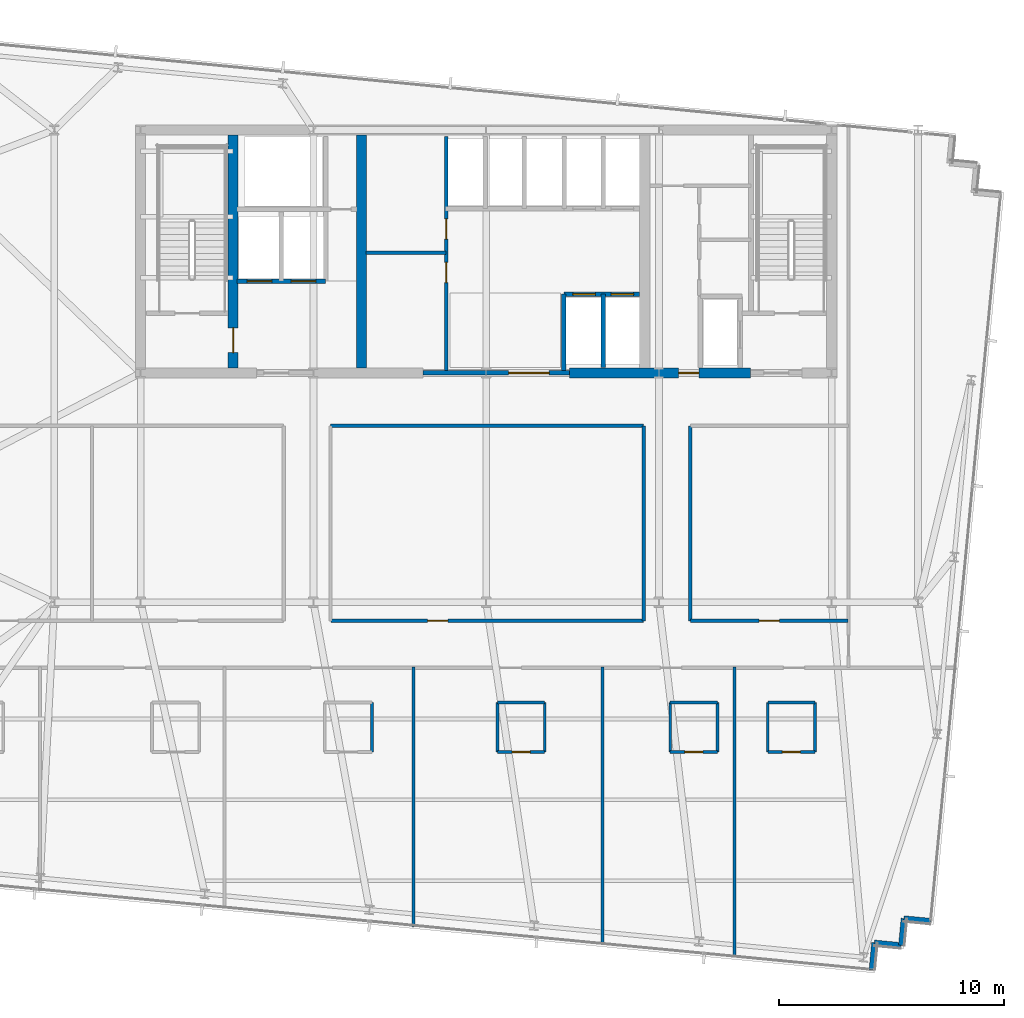
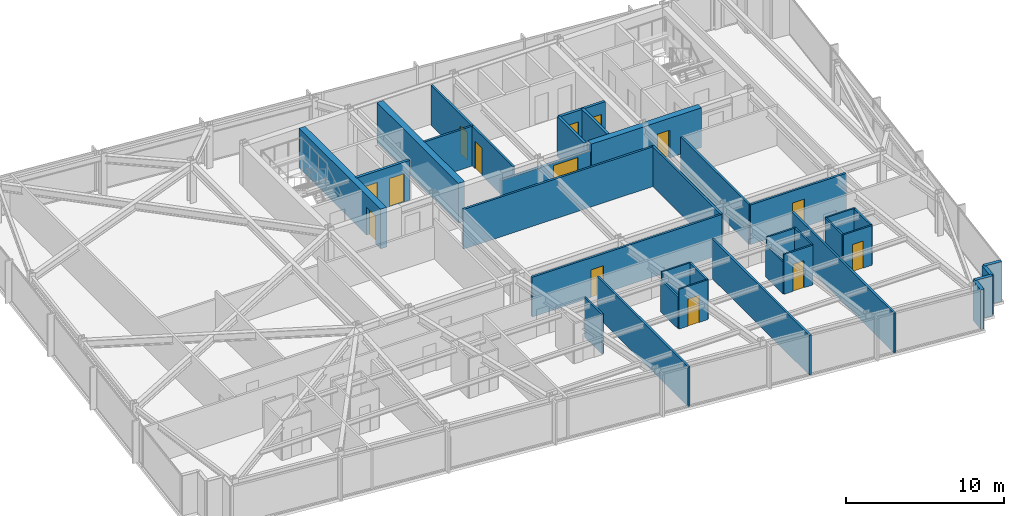
# One storey, part 30 of 37: 35 walls, 14 doors, 14 openings.
"""IFC4 building model written with IfcOpenShell, lengths in metres."""

from ifc_helpers import new_model, si_unit, direction, frame, frame_2d, origin, place, context, subcontext, project, spatial, rectangle, extrude, material, layer, layer_set, type_object, element, fill, save


model = new_model("IFC4")

# Units and contexts
model_context = context("Model", 3, precision=1e-05, world=origin(), true_north=direction((0.0, 1.0)))
body_context = subcontext(model_context, "Body", "Model", "MODEL_VIEW")
ifc_project = project(units=[si_unit("LENGTHUNIT", "METRE"), si_unit("AREAUNIT", "SQUARE_METRE"), si_unit("VOLUMEUNIT", "CUBIC_METRE"), si_unit("PLANEANGLEUNIT", "RADIAN"), si_unit("MASSUNIT", "GRAM", prefix="KILO")], contexts=[model_context])

# Site, building, storey
site_placement = place(None, origin())
site = spatial("IfcSite", under=ifc_project, at=site_placement, CompositionType="ELEMENT")
building_placement = place(site_placement, origin())
building = spatial("IfcBuilding", under=site, at=building_placement, Name="Yelkora Congress Tower", CompositionType="ELEMENT")
storey_placement = place(building_placement, frame((0.0, 0.0, 165.5)))
storey = spatial("IfcBuildingStorey", under=building, at=storey_placement, Name="L45", CompositionType="ELEMENT", Elevation=165.5)

# Wall, opening, door
ifc_material_1 = material(Name="Concrete C60/75", Category="concrete")
ifc_layer_1 = layer(ifc_material_1, 0.449951171875)
ifc_layer_set_1 = layer_set([ifc_layer_1], Name="Concrete C60/75")
wall_type_1 = type_object("IfcWallType", Name="WALL-CORE-INT-450", PredefinedType="SHEAR", material=ifc_layer_set_1)
wall_1_placement = place(storey_placement, frame((42.10009765625, 35.39990234375, 0.0), z_axis=(0.0, 0.0, 1.0), x_axis=(1.0, 0.0, 0.0)))
wall_1 = element("IfcWall", 1, at=wall_1_placement, inside=storey, type_object=wall_type_1, Name="L45 Rear Core South-East Shear Wall A", PredefinedType="SHEAR", context=body_context, shape_type="SweptSolid", body=[
    extrude(rectangle(XDim=8.0498046875, YDim=0.449951171875, at=frame_2d((4.02490234375, 0.0))), origin(), (0.0, 0.0, 1.0), 3.080078125),
])
opening_1_placement = place(wall_1_placement, frame((4.85009765625, 0.0, 0.0)))
opening_1 = element("IfcOpeningElement", 2, at=opening_1_placement, cuts=wall_1, Name="Opening DR-090F6", PredefinedType="OPENING", context=body_context, shape_type="SweptSolid", body=[
    extrude(rectangle(XDim=0.89990234375, YDim=2.14990234375, at=frame_2d((0.449951171875, 1.074951171875))), frame((0.0, 0.23486328125, 0.0), z_axis=(0.0, -1.0, 0.0), x_axis=(1.0, 0.0, 0.0)), (0.0, 0.0, 1.0), 0.469970703125),
])
ifc_material_2 = material(Name="Painted steel riser fire door leaf", Category="steel")
door_type_1 = type_object("IfcDoorType", Name="DOOR-FD60-900", OperationType="NOTDEFINED", PredefinedType="DOOR", material=ifc_material_2)
door_1_placement = place(opening_1_placement, origin())
door_1 = element("IfcDoor", 3, at=door_1_placement, inside=storey, type_object=door_type_1, Name="L45 Core Washroom Lobby Door", OperationType="SINGLE_SWING_RIGHT", OverallHeight=2.14990234375, OverallWidth=0.89990234375, PredefinedType="DOOR", context=body_context, shape_type="SweptSolid", body=[
    extrude(rectangle(XDim=0.89990234375, YDim=2.14990234375, at=frame_2d((0.449951171875, 1.074951171875))), frame((0.0, 0.02490234375, 0.0), z_axis=(0.0, -1.0, 0.0), x_axis=(1.0, 0.0, 0.0)), (0.0, 0.0, 1.0), 0.050048828125),
])
fill(opening_1, door_1)

wall_2_placement = place(storey_placement, frame((27.14990234375, 35.625, 0.0), z_axis=(0.0, 0.0, 1.0), x_axis=(0.0, 1.0, 0.0)))
wall_2 = element("IfcWall", 4, at=wall_2_placement, inside=storey, type_object=wall_type_1, Name="L45 Rear Core Cross Shear Wall C1", PredefinedType="SHEAR", context=body_context, shape_type="SweptSolid", body=[
    extrude(rectangle(XDim=10.35009765625, YDim=0.449951171875, at=frame_2d((5.175048828125, 0.0))), origin(), (0.0, 0.0, 1.0), 3.080078125),
])
opening_2_placement = place(wall_2_placement, frame((0.675048828125, 0.0, 0.0)))
opening_2 = element("IfcOpeningElement", 5, at=opening_2_placement, cuts=wall_2, Name="Opening DR-110F9", PredefinedType="OPENING", context=body_context, shape_type="SweptSolid", body=[
    extrude(rectangle(XDim=1.10009765625, YDim=2.14990234375, at=frame_2d((0.550048828125, 1.074951171875))), frame((0.0, 0.23486328125, 0.0), z_axis=(0.0, -1.0, 0.0), x_axis=(1.0, 0.0, 0.0)), (0.0, 0.0, 1.0), 0.469970703125),
])
ifc_material_3 = material(Name="Galvanised steel fire door leaf", Category="steel")
door_type_2 = type_object("IfcDoorType", Name="DOOR-FD90-1100", OperationType="NOTDEFINED", PredefinedType="DOOR", material=ifc_material_3)
door_2_placement = place(opening_2_placement, origin())
door_2 = element("IfcDoor", 6, at=door_2_placement, inside=storey, type_object=door_type_2, Name="L45 Firefighting Stair Transfer Door", OperationType="SINGLE_SWING_LEFT", OverallHeight=2.14990234375, OverallWidth=1.10009765625, PredefinedType="DOOR", context=body_context, shape_type="SweptSolid", body=[
    extrude(rectangle(XDim=1.10009765625, YDim=2.14990234375, at=frame_2d((0.550048828125, 1.074951171875))), frame((0.0, 0.02490234375, 0.0), z_axis=(0.0, -1.0, 0.0), x_axis=(1.0, 0.0, 0.0)), (0.0, 0.0, 1.0), 0.050048828125),
])
fill(opening_2, door_2)

# Walls
wall_3_placement = place(storey_placement, frame((32.85009765625, 35.625, 0.0), z_axis=(0.0, 0.0, 1.0), x_axis=(0.0, 1.0, 0.0)))
element("IfcWall", 7, at=wall_3_placement, inside=storey, type_object=wall_type_1, Name="L45 Rear Core Cross Shear Wall C2", PredefinedType="SHEAR", context=body_context, shape_type="SweptSolid", body=[
    extrude(rectangle(XDim=10.35009765625, YDim=0.449951171875, at=frame_2d((5.175048828125, 0.0))), origin(), (0.0, 0.0, 1.0), 3.080078125),
])
ifc_material_4 = material(Name="Concrete C40/50", Category="concrete")
ifc_layer_2 = layer(ifc_material_4, 0.239990234375)
ifc_layer_set_2 = layer_set([ifc_layer_2], Name="Concrete C40/50")
wall_type_2 = type_object("IfcWallType", Name="WALL-EXT-LIMESTONE-240", PredefinedType="SOLIDWALL", material=ifc_layer_set_2)
wall_4_placement = place(storey_placement, frame((58.160400390625, 11.033203125, 0.0), z_axis=(0.0, 0.0, 1.0), x_axis=(-0.995398960025, 0.095817067274, 0.0)))
element("IfcWall", 8, at=wall_4_placement, inside=storey, type_object=wall_type_2, Name="L45 Serrated Corner Limestone Pier 16", PredefinedType="SOLIDWALL", context=body_context, shape_type="SweptSolid", body=[
    extrude(rectangle(XDim=1.2001953125, YDim=0.239990234375, at=frame_2d((0.60009765625, 0.0))), origin(), (0.0, 0.0, 1.0), 3.080078125),
])
for number, where, z_axis, x_axis, name in (
    (9, (56.9658203125, 11.148193359375, 0.0), (0.0, 0.0, 1.0), (-0.095836473879, -0.995397091755, 0.0), "L45 Serrated Corner Limestone Pier 17"),
    (10, (56.850830078125, 9.953857421875, 0.0), (0.0, 0.0, 1.0), (-0.995397091755, 0.095836473879, 0.0), "L45 Serrated Corner Limestone Pier 18"),
):
    element("IfcWall", number, at=place(storey_placement, frame(where, z_axis=z_axis, x_axis=x_axis)), inside=storey, type_object=wall_type_2, Name=name, PredefinedType="SOLIDWALL", context=body_context, shape_type="SweptSolid", body=[
        extrude(rectangle(XDim=1.199951171875, YDim=0.239990234375, at=frame_2d((0.60009765625, 0.0))), origin(), (0.0, 0.0, 1.0), 3.080078125),
    ])
wall_5_placement = place(storey_placement, frame((55.656494140625, 10.06884765625, 0.0), z_axis=(0.0, 0.0, 1.0), x_axis=(-0.095817067274, -0.995398960025, 0.0)))
element("IfcWall", 11, at=wall_5_placement, inside=storey, type_object=wall_type_2, Name="L45 Serrated Corner Limestone Pier 19", PredefinedType="SOLIDWALL", context=body_context, shape_type="SweptSolid", body=[
    extrude(rectangle(XDim=1.2001953125, YDim=0.239990234375, at=frame_2d((0.60009765625, 0.0))), origin(), (0.0, 0.0, 1.0), 3.080078125),
])
ifc_material_5 = material(Name="Moisture-resistant gypsum partition", Category="gypsum")
ifc_layer_3 = layer(ifc_material_5, 0.1201171875)
ifc_layer_set_3 = layer_set([ifc_layer_3], Name="Moisture-resistant gypsum partition")
wall_type_3 = type_object("IfcWallType", Name="WALL-INT-120-NR", PredefinedType="PARTITIONING", material=ifc_layer_set_3)
wall_6_placement = place(storey_placement, frame((33.320068359375, 18.550048828125, 0.0), z_axis=(0.0, 0.0, 1.0), x_axis=(0.0, 1.0, 0.0)))
element("IfcWall", 12, at=wall_6_placement, inside=storey, type_object=wall_type_3, Name="L45 Partition Wall 43", PredefinedType="PARTITIONING", context=body_context, shape_type="SweptSolid", body=[
    extrude(rectangle(XDim=2.199951171875, YDim=0.1201171875, at=frame_2d((1.10009765625, 0.0))), origin(), (0.0, 0.0, 1.0), 3.080078125),
])
wall_7_placement = place(storey_placement, frame((38.89990234375, 20.75, 0.0), z_axis=(0.0, 0.0, 1.0), x_axis=(1.0, 0.0, 0.0)))
element("IfcWall", 13, at=wall_7_placement, inside=storey, type_object=wall_type_3, Name="L45 Partition Wall 46", PredefinedType="PARTITIONING", context=body_context, shape_type="SweptSolid", body=[
    extrude(rectangle(XDim=2.10009765625, YDim=0.1201171875, at=frame_2d((1.050048828125, 0.0))), origin(), (0.0, 0.0, 1.0), 3.080078125),
])
wall_8_placement = place(storey_placement, frame((38.89990234375, 18.550048828125, 0.0), z_axis=(0.0, 0.0, 1.0), x_axis=(0.0, 1.0, 0.0)))
element("IfcWall", 14, at=wall_8_placement, inside=storey, type_object=wall_type_3, Name="L45 Partition Wall 47", PredefinedType="PARTITIONING", context=body_context, shape_type="SweptSolid", body=[
    extrude(rectangle(XDim=2.199951171875, YDim=0.1201171875, at=frame_2d((1.10009765625, 0.0))), origin(), (0.0, 0.0, 1.0), 2.47509765625),
])
wall_9_placement = place(storey_placement, frame((41.0, 18.550048828125, 0.0), z_axis=(0.0, 0.0, 1.0), x_axis=(0.0, 1.0, 0.0)))
element("IfcWall", 15, at=wall_9_placement, inside=storey, type_object=wall_type_3, Name="L45 Partition Wall 48", PredefinedType="PARTITIONING", context=body_context, shape_type="SweptSolid", body=[
    extrude(rectangle(XDim=2.199951171875, YDim=0.1201171875, at=frame_2d((1.10009765625, 0.0))), origin(), (0.0, 0.0, 1.0), 3.080078125),
])

# Wall, opening, door
wall_10_placement = place(storey_placement, frame((38.89990234375, 18.550048828125, 0.0), z_axis=(0.0, 0.0, 1.0), x_axis=(1.0, 0.0, 0.0)))
wall_10 = element("IfcWall", 16, at=wall_10_placement, inside=storey, type_object=wall_type_3, Name="L45 Partition Wall 49", PredefinedType="PARTITIONING", context=body_context, shape_type="SweptSolid", body=[
    extrude(rectangle(XDim=2.10009765625, YDim=0.1201171875, at=frame_2d((1.050048828125, 0.0))), origin(), (0.0, 0.0, 1.0), 3.080078125),
])
opening_3_placement = place(wall_10_placement, frame((0.64990234375, 0.0, 0.0)))
opening_3 = element("IfcOpeningElement", 17, at=opening_3_placement, cuts=wall_10, Name="Opening DR-080B", PredefinedType="OPENING", context=body_context, shape_type="SweptSolid", body=[
    extrude(rectangle(XDim=0.800048828125, YDim=2.10009765625, at=frame_2d((0.39990234375, 1.050048828125))), frame((0.0, 0.070068359375, 0.0), z_axis=(0.0, -1.0, 0.0), x_axis=(1.0, 0.0, 0.0)), (0.0, 0.0, 1.0), 0.14013671875),
])
ifc_material_6 = material(Name="Moisture-sealed en-suite timber door", Category="wood")
door_type_3 = type_object("IfcDoorType", Name="DOOR-BATH-800", OperationType="NOTDEFINED", PredefinedType="DOOR", material=ifc_material_6)
door_3_placement = place(opening_3_placement, origin())
door_3 = element("IfcDoor", 18, at=door_3_placement, inside=storey, type_object=door_type_3, Name="L45 En-suite Door 5", OperationType="SINGLE_SWING_LEFT", OverallHeight=2.10009765625, OverallWidth=0.800048828125, PredefinedType="DOOR", context=body_context, shape_type="SweptSolid", body=[
    extrude(rectangle(XDim=0.800048828125, YDim=2.10009765625, at=frame_2d((0.39990234375, 1.050048828125))), frame((0.0, 0.02490234375, 0.0), z_axis=(0.0, -1.0, 0.0), x_axis=(1.0, 0.0, 0.0)), (0.0, 0.0, 1.0), 0.050048828125),
])
fill(opening_3, door_3)

# Walls
wall_11_placement = place(storey_placement, frame((46.580078125, 20.75, 0.0), z_axis=(0.0, 0.0, 1.0), x_axis=(1.0, 0.0, 0.0)))
element("IfcWall", 19, at=wall_11_placement, inside=storey, type_object=wall_type_3, Name="L45 Partition Wall 51", PredefinedType="PARTITIONING", context=body_context, shape_type="SweptSolid", body=[
    extrude(rectangle(XDim=2.099853515625, YDim=0.1201171875, at=frame_2d((1.0498046875, 0.0))), origin(), (0.0, 0.0, 1.0), 3.080078125),
])
wall_12_placement = place(storey_placement, frame((46.580078125, 18.550048828125, 0.0), z_axis=(0.0, 0.0, 1.0), x_axis=(0.0, 1.0, 0.0)))
element("IfcWall", 20, at=wall_12_placement, inside=storey, type_object=wall_type_3, Name="L45 Partition Wall 52", PredefinedType="PARTITIONING", context=body_context, shape_type="SweptSolid", body=[
    extrude(rectangle(XDim=2.199951171875, YDim=0.1201171875, at=frame_2d((1.10009765625, 0.0))), origin(), (0.0, 0.0, 1.0), 2.47509765625),
])
wall_13_placement = place(storey_placement, frame((48.679931640625, 18.550048828125, 0.0), z_axis=(0.0, 0.0, 1.0), x_axis=(0.0, 1.0, 0.0)))
element("IfcWall", 21, at=wall_13_placement, inside=storey, type_object=wall_type_3, Name="L45 Partition Wall 53", PredefinedType="PARTITIONING", context=body_context, shape_type="SweptSolid", body=[
    extrude(rectangle(XDim=2.199951171875, YDim=0.1201171875, at=frame_2d((1.10009765625, 0.0))), origin(), (0.0, 0.0, 1.0), 3.080078125),
])

# Wall, opening, door
wall_14_placement = place(storey_placement, frame((46.580078125, 18.550048828125, 0.0), z_axis=(0.0, 0.0, 1.0), x_axis=(1.0, 0.0, 0.0)))
wall_14 = element("IfcWall", 22, at=wall_14_placement, inside=storey, type_object=wall_type_3, Name="L45 Partition Wall 54", PredefinedType="PARTITIONING", context=body_context, shape_type="SweptSolid", body=[
    extrude(rectangle(XDim=2.099853515625, YDim=0.1201171875, at=frame_2d((1.0498046875, 0.0))), origin(), (0.0, 0.0, 1.0), 3.080078125),
])
opening_4_placement = place(wall_14_placement, frame((0.64990234375, 0.0, 0.0)))
opening_4 = element("IfcOpeningElement", 23, at=opening_4_placement, cuts=wall_14, Name="Opening DR-080B", PredefinedType="OPENING", context=body_context, shape_type="SweptSolid", body=[
    extrude(rectangle(XDim=0.800048828125, YDim=2.10009765625, at=frame_2d((0.39990234375, 1.050048828125))), frame((0.0, 0.070068359375, 0.0), z_axis=(0.0, -1.0, 0.0), x_axis=(1.0, 0.0, 0.0)), (0.0, 0.0, 1.0), 0.14013671875),
])
door_4_placement = place(opening_4_placement, origin())
door_4 = element("IfcDoor", 24, at=door_4_placement, inside=storey, type_object=door_type_3, Name="L45 En-suite Door 6", OperationType="SINGLE_SWING_RIGHT", OverallHeight=2.10009765625, OverallWidth=0.800048828125, PredefinedType="DOOR", context=body_context, shape_type="SweptSolid", body=[
    extrude(rectangle(XDim=0.800048828125, YDim=2.10009765625, at=frame_2d((0.39990234375, 1.050048828125))), frame((0.0, 0.02490234375, 0.0), z_axis=(0.0, -1.0, 0.0), x_axis=(1.0, 0.0, 0.0)), (0.0, 0.0, 1.0), 0.050048828125),
])
fill(opening_4, door_4)

# Walls
wall_15_placement = place(storey_placement, frame((50.922119140625, 20.75, 0.0), z_axis=(0.0, 0.0, 1.0), x_axis=(1.0, 0.0, 0.0)))
element("IfcWall", 25, at=wall_15_placement, inside=storey, type_object=wall_type_3, Name="L45 Partition Wall 56", PredefinedType="PARTITIONING", context=body_context, shape_type="SweptSolid", body=[
    extrude(rectangle(XDim=2.099853515625, YDim=0.1201171875, at=frame_2d((1.0498046875, 0.0))), origin(), (0.0, 0.0, 1.0), 3.080078125),
])
for number, where, z_axis, x_axis, name in (
    (26, (50.922119140625, 18.550048828125, 0.0), (0.0, 0.0, 1.0), (0.0, 1.0, 0.0), "L45 Partition Wall 57"),
    (27, (53.02197265625, 18.550048828125, 0.0), (0.0, 0.0, 1.0), (0.0, 1.0, 0.0), "L45 Partition Wall 58"),
):
    element("IfcWall", number, at=place(storey_placement, frame(where, z_axis=z_axis, x_axis=x_axis)), inside=storey, type_object=wall_type_3, Name=name, PredefinedType="PARTITIONING", context=body_context, shape_type="SweptSolid", body=[
        extrude(rectangle(XDim=2.199951171875, YDim=0.1201171875, at=frame_2d((1.10009765625, 0.0))), origin(), (0.0, 0.0, 1.0), 3.080078125),
    ])

# Wall, opening, door
wall_16_placement = place(storey_placement, frame((50.922119140625, 18.550048828125, 0.0), z_axis=(0.0, 0.0, 1.0), x_axis=(1.0, 0.0, 0.0)))
wall_16 = element("IfcWall", 28, at=wall_16_placement, inside=storey, type_object=wall_type_3, Name="L45 Partition Wall 59", PredefinedType="PARTITIONING", context=body_context, shape_type="SweptSolid", body=[
    extrude(rectangle(XDim=2.099853515625, YDim=0.1201171875, at=frame_2d((1.0498046875, 0.0))), origin(), (0.0, 0.0, 1.0), 3.080078125),
])
opening_5_placement = place(wall_16_placement, frame((0.64990234375, 0.0, 0.0)))
opening_5 = element("IfcOpeningElement", 29, at=opening_5_placement, cuts=wall_16, Name="Opening DR-080B", PredefinedType="OPENING", context=body_context, shape_type="SweptSolid", body=[
    extrude(rectangle(XDim=0.800048828125, YDim=2.10009765625, at=frame_2d((0.39990234375, 1.050048828125))), frame((0.0, 0.070068359375, 0.0), z_axis=(0.0, -1.0, 0.0), x_axis=(1.0, 0.0, 0.0)), (0.0, 0.0, 1.0), 0.14013671875),
])
door_5_placement = place(opening_5_placement, origin())
door_5 = element("IfcDoor", 30, at=door_5_placement, inside=storey, type_object=door_type_3, Name="L45 En-suite Door 7", OperationType="SINGLE_SWING_LEFT", OverallHeight=2.10009765625, OverallWidth=0.800048828125, PredefinedType="DOOR", context=body_context, shape_type="SweptSolid", body=[
    extrude(rectangle(XDim=0.800048828125, YDim=2.10009765625, at=frame_2d((0.39990234375, 1.050048828125))), frame((0.0, 0.02490234375, 0.0), z_axis=(0.0, -1.0, 0.0), x_axis=(1.0, 0.0, 0.0)), (0.0, 0.0, 1.0), 0.050048828125),
])
fill(opening_5, door_5)

# Walls
ifc_material_7 = material(Name="Acoustic metal-stud gypsum partition", Category="gypsum")
ifc_layer_4 = layer(ifc_material_7, 0.14990234375)
ifc_layer_set_4 = layer_set([ifc_layer_4], Name="Acoustic metal-stud gypsum partition")
wall_type_4 = type_object("IfcWallType", Name="WALL-INT-150-NR", PredefinedType="PARTITIONING", material=ifc_layer_set_4)
for number, where, z_axis, x_axis, name in (
    (31, (45.39990234375, 24.3798828125, 0.0), (0.0, 0.0, 1.0), (0.0, 1.0, 0.0), "L45 Partition Wall 66"),
    (32, (47.47998046875, 24.3798828125, 0.0), (0.0, 0.0, 1.0), (0.0, 1.0, 0.0), "L45 Partition Wall 67"),
):
    element("IfcWall", number, at=place(storey_placement, frame(where, z_axis=z_axis, x_axis=x_axis)), inside=storey, type_object=wall_type_4, Name=name, PredefinedType="PARTITIONING", context=body_context, shape_type="SweptSolid", body=[
        extrude(rectangle(XDim=8.670166015625, YDim=0.14990234375, at=frame_2d((4.3349609375, 0.0))), origin(), (0.0, 0.0, 1.0), 3.080078125),
    ])
wall_17_placement = place(storey_placement, frame((31.47998046875, 33.050048828125, 0.0), z_axis=(0.0, 0.0, 1.0), x_axis=(1.0, 0.0, 0.0)))
element("IfcWall", 33, at=wall_17_placement, inside=storey, type_object=wall_type_4, Name="L45 Partition Wall 69", PredefinedType="PARTITIONING", context=body_context, shape_type="SweptSolid", body=[
    extrude(rectangle(XDim=13.919921875, YDim=0.14990234375, at=frame_2d((6.9599609375, 0.0))), origin(), (0.0, 0.0, 1.0), 3.080078125),
])

# Wall, opening, door
wall_18_placement = place(storey_placement, frame((31.489990234375, 24.3798828125, 0.0), z_axis=(0.0, 0.0, 1.0), x_axis=(1.0, 0.0, 0.0)))
wall_18 = element("IfcWall", 34, at=wall_18_placement, inside=storey, type_object=wall_type_4, Name="L45 Partition Wall 74", PredefinedType="PARTITIONING", context=body_context, shape_type="SweptSolid", body=[
    extrude(rectangle(XDim=13.89990234375, YDim=0.14990234375, at=frame_2d((6.949951171875, 0.0))), origin(), (0.0, 0.0, 1.0), 3.080078125),
])
opening_6_placement = place(wall_18_placement, frame((4.306396484375, 0.0, 0.0)))
opening_6 = element("IfcOpeningElement", 35, at=opening_6_placement, cuts=wall_18, Name="Opening DR-090N", PredefinedType="OPENING", context=body_context, shape_type="SweptSolid", body=[
    extrude(rectangle(XDim=0.89990234375, YDim=2.14990234375, at=frame_2d((0.449951171875, 1.074951171875))), frame((0.0, 0.0849609375, 0.0), z_axis=(0.0, -1.0, 0.0), x_axis=(1.0, 0.0, 0.0)), (0.0, 0.0, 1.0), 0.169921875),
])
ifc_material_8 = material(Name="Moisture-resistant laminate door leaf", Category="wood")
door_type_4 = type_object("IfcDoorType", Name="DOOR-INT-900", OperationType="NOTDEFINED", PredefinedType="DOOR", material=ifc_material_8)
door_6_placement = place(opening_6_placement, origin())
door_6 = element("IfcDoor", 36, at=door_6_placement, inside=storey, type_object=door_type_4, Name="L45 Diplomatic Day Lounge Door", OperationType="SINGLE_SWING_RIGHT", OverallHeight=2.14990234375, OverallWidth=0.89990234375, PredefinedType="DOOR", context=body_context, shape_type="SweptSolid", body=[
    extrude(rectangle(XDim=0.89990234375, YDim=2.14990234375, at=frame_2d((0.449951171875, 1.074951171875))), frame((0.0, 0.02490234375, 0.0), z_axis=(0.0, -1.0, 0.0), x_axis=(1.0, 0.0, 0.0)), (0.0, 0.0, 1.0), 0.050048828125),
])
fill(opening_6, door_6)

wall_19_placement = place(storey_placement, frame((47.489990234375, 24.3798828125, 0.0), z_axis=(0.0, 0.0, 1.0), x_axis=(1.0, 0.0, 0.0)))
wall_19 = element("IfcWall", 37, at=wall_19_placement, inside=storey, type_object=wall_type_4, Name="L45 Partition Wall 75", PredefinedType="PARTITIONING", context=body_context, shape_type="SweptSolid", body=[
    extrude(rectangle(XDim=6.99609375, YDim=0.14990234375, at=frame_2d((3.498046875, 0.0))), origin(), (0.0, 0.0, 1.0), 3.080078125),
])
opening_7_placement = place(wall_19_placement, frame((3.048095703125, 0.0, 0.0)))
opening_7 = element("IfcOpeningElement", 38, at=opening_7_placement, cuts=wall_19, Name="Opening DR-090N", PredefinedType="OPENING", context=body_context, shape_type="SweptSolid", body=[
    extrude(rectangle(XDim=0.89990234375, YDim=2.14990234375, at=frame_2d((0.449951171875, 1.074951171875))), frame((0.0, 0.0849609375, 0.0), z_axis=(0.0, -1.0, 0.0), x_axis=(1.0, 0.0, 0.0)), (0.0, 0.0, 1.0), 0.169921875),
])
door_7_placement = place(opening_7_placement, origin())
door_7 = element("IfcDoor", 39, at=door_7_placement, inside=storey, type_object=door_type_4, Name="L45 First-Aid Treatment Room Door", OperationType="SINGLE_SWING_LEFT", OverallHeight=2.14990234375, OverallWidth=0.89990234375, PredefinedType="DOOR", context=body_context, shape_type="SweptSolid", body=[
    extrude(rectangle(XDim=0.89990234375, YDim=2.14990234375, at=frame_2d((0.449951171875, 1.074951171875))), frame((0.0, 0.02490234375, 0.0), z_axis=(0.0, -1.0, 0.0), x_axis=(1.0, 0.0, 0.0)), (0.0, 0.0, 1.0), 0.050048828125),
])
fill(opening_7, door_7)

# Wall
ifc_material_9 = material(Name="Twin-stud fire-rated gypsum partition", Category="gypsum")
ifc_layer_5 = layer(ifc_material_9, 0.14990234375)
ifc_layer_set_5 = layer_set([ifc_layer_5], Name="Twin-stud fire-rated gypsum partition")
wall_type_5 = type_object("IfcWallType", Name="WALL-INT-150-R60", PredefinedType="PARTITIONING", material=ifc_layer_set_5)
wall_20_placement = place(storey_placement, frame((33.050048828125, 40.75, 0.0), z_axis=(0.0, 0.0, 1.0), x_axis=(1.0, 0.0, 0.0)))
element("IfcWall", 40, at=wall_20_placement, inside=storey, type_object=wall_type_5, Name="L45 Partition Wall 11", PredefinedType="PARTITIONING", context=body_context, shape_type="SweptSolid", body=[
    extrude(rectangle(XDim=3.570068359375, YDim=0.14990234375, at=frame_2d((1.78515625, 0.0))), origin(), (0.0, 0.0, 1.0), 3.080078125),
])

# Wall, openings, doors
wall_21_placement = place(storey_placement, frame((36.6201171875, 35.5, 0.0), z_axis=(0.0, 0.0, 1.0), x_axis=(0.0, 1.0, 0.0)))
wall_21 = element("IfcWall", 41, at=wall_21_placement, inside=storey, type_object=wall_type_5, Name="L45 Partition Wall 12", PredefinedType="PARTITIONING", context=body_context, shape_type="SweptSolid", body=[
    extrude(rectangle(XDim=10.419921875, YDim=0.14990234375, at=frame_2d((5.2099609375, 0.0))), origin(), (0.0, 0.0, 1.0), 3.080078125),
])
opening_8_placement = place(wall_21_placement, frame((3.919921875, 0.0, 0.0)))
opening_8 = element("IfcOpeningElement", 42, at=opening_8_placement, cuts=wall_21, Name="Opening DR-090F6", PredefinedType="OPENING", context=body_context, shape_type="SweptSolid", body=[
    extrude(rectangle(XDim=0.89990234375, YDim=2.14990234375, at=frame_2d((0.449951171875, 1.074951171875))), frame((0.0, 0.0849609375, 0.0), z_axis=(0.0, -1.0, 0.0), x_axis=(1.0, 0.0, 0.0)), (0.0, 0.0, 1.0), 0.169921875),
])
opening_9_placement = place(wall_21_placement, frame((5.85009765625, 0.0, 0.0)))
opening_9 = element("IfcOpeningElement", 43, at=opening_9_placement, cuts=wall_21, Name="Opening DR-090F6", PredefinedType="OPENING", context=body_context, shape_type="SweptSolid", body=[
    extrude(rectangle(XDim=0.89990234375, YDim=2.14990234375, at=frame_2d((0.449951171875, 1.074951171875))), frame((0.0, 0.0849609375, 0.0), z_axis=(0.0, -1.0, 0.0), x_axis=(1.0, 0.0, 0.0)), (0.0, 0.0, 1.0), 0.169921875),
])
door_8_placement = place(opening_8_placement, origin())
door_8 = element("IfcDoor", 44, at=door_8_placement, inside=storey, type_object=door_type_1, Name="L45 Telecom Store Door", OperationType="SINGLE_SWING_LEFT", OverallHeight=2.14990234375, OverallWidth=0.89990234375, PredefinedType="DOOR", context=body_context, shape_type="SweptSolid", body=[
    extrude(rectangle(XDim=0.89990234375, YDim=2.14990234375, at=frame_2d((0.449951171875, 1.074951171875))), frame((0.0, 0.02490234375, 0.0), z_axis=(0.0, -1.0, 0.0), x_axis=(1.0, 0.0, 0.0)), (0.0, 0.0, 1.0), 0.050048828125),
])
fill(opening_8, door_8)
door_9_placement = place(opening_9_placement, origin())
door_9 = element("IfcDoor", 45, at=door_9_placement, inside=storey, type_object=door_type_1, Name="L45 Archive Store Door", OperationType="SINGLE_SWING_RIGHT", OverallHeight=2.14990234375, OverallWidth=0.89990234375, PredefinedType="DOOR", context=body_context, shape_type="SweptSolid", body=[
    extrude(rectangle(XDim=0.89990234375, YDim=2.14990234375, at=frame_2d((0.449951171875, 1.074951171875))), frame((0.0, 0.02490234375, 0.0), z_axis=(0.0, -1.0, 0.0), x_axis=(1.0, 0.0, 0.0)), (0.0, 0.0, 1.0), 0.050048828125),
])
fill(opening_9, door_9)

# Walls
wall_22_placement = place(storey_placement, frame((35.1689453125, 10.775634765625, 0.0), z_axis=(0.0, 0.0, 1.0), x_axis=(0.0, 1.0, 0.0)))
element("IfcWall", 46, at=wall_22_placement, inside=storey, type_object=wall_type_5, Name="L45 Partition Wall 50", PredefinedType="PARTITIONING", context=body_context, shape_type="SweptSolid", body=[
    extrude(rectangle(XDim=11.54443359375, YDim=0.14990234375, at=frame_2d((5.772216796875, 0.0))), origin(), (0.0, 0.0, 1.0), 3.080078125),
])
wall_23_placement = place(storey_placement, frame((43.570068359375, 9.966796875, 0.0), z_axis=(0.0, 0.0, 1.0), x_axis=(0.0, 1.0, 0.0)))
element("IfcWall", 47, at=wall_23_placement, inside=storey, type_object=wall_type_5, Name="L45 Partition Wall 55", PredefinedType="PARTITIONING", context=body_context, shape_type="SweptSolid", body=[
    extrude(rectangle(XDim=12.353271484375, YDim=0.14990234375, at=frame_2d((6.1767578125, 0.0))), origin(), (0.0, 0.0, 1.0), 3.080078125),
])
wall_24_placement = place(storey_placement, frame((49.43798828125, 9.401611328125, 0.0), z_axis=(0.0, 0.0, 1.0), x_axis=(0.0, 1.0, 0.0)))
element("IfcWall", 48, at=wall_24_placement, inside=storey, type_object=wall_type_5, Name="L45 Partition Wall 60", PredefinedType="PARTITIONING", context=body_context, shape_type="SweptSolid", body=[
    extrude(rectangle(XDim=12.91845703125, YDim=0.14990234375, at=frame_2d((6.459228515625, 0.0))), origin(), (0.0, 0.0, 1.0), 3.080078125),
])

# Wall, openings, doors
ifc_material_10 = material(Name="Autoclaved aerated concrete blockwork", Category="masonry")
ifc_layer_6 = layer(ifc_material_10, 0.199951171875)
ifc_layer_set_6 = layer_set([ifc_layer_6], Name="Autoclaved aerated concrete blockwork")
wall_type_6 = type_object("IfcWallType", Name="WALL-INT-200-R120", PredefinedType="PARTITIONING", material=ifc_layer_set_6)
wall_25_placement = place(storey_placement, frame((27.320068359375, 39.47998046875, 0.0), z_axis=(0.0, 0.0, 1.0), x_axis=(1.0, 0.0, 0.0)))
wall_25 = element("IfcWall", 49, at=wall_25_placement, inside=storey, type_object=wall_type_6, Name="L45 Firefighting Lift Front Wall", PredefinedType="PARTITIONING", context=body_context, shape_type="SweptSolid", body=[
    extrude(rectangle(XDim=3.93994140625, YDim=0.199951171875, at=frame_2d((1.969970703125, 0.0))), origin(), (0.0, 0.0, 1.0), 3.080078125),
])
opening_10_placement = place(wall_25_placement, frame((0.449951171875, 0.0, 0.0)))
opening_10 = element("IfcOpeningElement", 50, at=opening_10_placement, cuts=wall_25, Name="Opening LD-FF11", PredefinedType="OPENING", context=body_context, shape_type="SweptSolid", body=[
    extrude(rectangle(XDim=1.10009765625, YDim=2.199951171875, at=frame_2d((0.550048828125, 1.10009765625))), frame((0.0, 0.10986328125, 0.0), z_axis=(0.0, -1.0, 0.0), x_axis=(1.0, 0.0, 0.0)), (0.0, 0.0, 1.0), 0.219970703125),
])
opening_11_placement = place(wall_25_placement, frame((2.409912109375, 0.0, 0.0)))
opening_11 = element("IfcOpeningElement", 51, at=opening_11_placement, cuts=wall_25, Name="Opening LD-FF11", PredefinedType="OPENING", context=body_context, shape_type="SweptSolid", body=[
    extrude(rectangle(XDim=1.10009765625, YDim=2.199951171875, at=frame_2d((0.550048828125, 1.10009765625))), frame((0.0, 0.10986328125, 0.0), z_axis=(0.0, -1.0, 0.0), x_axis=(1.0, 0.0, 0.0)), (0.0, 0.0, 1.0), 0.219970703125),
])
ifc_material_11 = material(Name="Brushed stainless steel 316L landing door", Category="steel")
door_type_5 = type_object("IfcDoorType", Name="DOOR-LIFT-FF-1100", OperationType="DOUBLE_DOOR_SLIDING", PredefinedType="DOOR", material=ifc_material_11)
door_10_placement = place(opening_10_placement, origin())
door_10 = element("IfcDoor", 52, at=door_10_placement, inside=storey, type_object=door_type_5, Name="Lift Landing Door LF-FF1 L45", OperationType="DOUBLE_DOOR_SLIDING", OverallHeight=2.199951171875, OverallWidth=1.10009765625, PredefinedType="DOOR", context=body_context, shape_type="SweptSolid", body=[
    extrude(rectangle(XDim=1.10009765625, YDim=2.199951171875, at=frame_2d((0.550048828125, 1.10009765625))), frame((0.0, 0.02490234375, 0.0), z_axis=(0.0, -1.0, 0.0), x_axis=(1.0, 0.0, 0.0)), (0.0, 0.0, 1.0), 0.050048828125),
])
fill(opening_10, door_10)
door_11_placement = place(opening_11_placement, origin())
door_11 = element("IfcDoor", 53, at=door_11_placement, inside=storey, type_object=door_type_5, Name="Lift Landing Door LF-FF2 L45", OperationType="DOUBLE_DOOR_SLIDING", OverallHeight=2.199951171875, OverallWidth=1.10009765625, PredefinedType="DOOR", context=body_context, shape_type="SweptSolid", body=[
    extrude(rectangle(XDim=1.10009765625, YDim=2.199951171875, at=frame_2d((0.550048828125, 1.10009765625))), frame((0.0, 0.02490234375, 0.0), z_axis=(0.0, -1.0, 0.0), x_axis=(1.0, 0.0, 0.0)), (0.0, 0.0, 1.0), 0.050048828125),
])
fill(opening_11, door_11)

# Wall, opening, door
wall_26_placement = place(storey_placement, frame((35.60009765625, 35.39990234375, 0.0), z_axis=(0.0, 0.0, 1.0), x_axis=(1.0, 0.0, 0.0)))
wall_26 = element("IfcWall", 54, at=wall_26_placement, inside=storey, type_object=wall_type_6, Name="L45 Main Lift Lobby South Portal Wall", PredefinedType="PARTITIONING", context=body_context, shape_type="SweptSolid", body=[
    extrude(rectangle(XDim=6.5, YDim=0.199951171875, at=frame_2d((3.25, 0.0))), origin(), (0.0, 0.0, 1.0), 2.47509765625),
])
opening_12_placement = place(wall_26_placement, frame((3.800048828125, 0.0, 0.0)))
opening_12 = element("IfcOpeningElement", 55, at=opening_12_placement, cuts=wall_26, Name="Opening DR-180D", PredefinedType="OPENING", context=body_context, shape_type="SweptSolid", body=[
    extrude(rectangle(XDim=1.800048828125, YDim=2.300048828125, at=frame_2d((0.89990234375, 1.14990234375))), frame((0.0, 0.10986328125, 0.0), z_axis=(0.0, -1.0, 0.0), x_axis=(1.0, 0.0, 0.0)), (0.0, 0.0, 1.0), 0.219970703125),
])
ifc_material_12 = material(Name="Acoustic double congress hall doors", Category="wood")
door_type_6 = type_object("IfcDoorType", Name="DOOR-DBL-1800", OperationType="DOUBLE_DOOR_SINGLE_SWING", PredefinedType="DOOR", material=ifc_material_12)
door_12_placement = place(opening_12_placement, origin())
door_12 = element("IfcDoor", 56, at=door_12_placement, inside=storey, type_object=door_type_6, Name="L45 Main Lift Lobby Portal Door", OperationType="DOUBLE_DOOR_SINGLE_SWING", OverallHeight=2.300048828125, OverallWidth=1.800048828125, PredefinedType="DOOR", context=body_context, shape_type="SweptSolid", body=[
    extrude(rectangle(XDim=1.800048828125, YDim=2.300048828125, at=frame_2d((0.89990234375, 1.14990234375))), frame((0.0, 0.02490234375, 0.0), z_axis=(0.0, -1.0, 0.0), x_axis=(1.0, 0.0, 0.0)), (0.0, 0.0, 1.0), 0.050048828125),
])
fill(opening_12, door_12)

# Wall, openings, doors
wall_27_placement = place(storey_placement, frame((41.85009765625, 38.89990234375, 0.0), z_axis=(0.0, 0.0, 1.0), x_axis=(1.0, 0.0, 0.0)))
wall_27 = element("IfcWall", 57, at=wall_27_placement, inside=storey, type_object=wall_type_6, Name="L45 Partition Wall 13", PredefinedType="PARTITIONING", context=body_context, shape_type="SweptSolid", body=[
    extrude(rectangle(XDim=3.369873046875, YDim=0.199951171875, at=frame_2d((1.68505859375, 0.0))), origin(), (0.0, 0.0, 1.0), 3.080078125),
])
opening_13_placement = place(wall_27_placement, frame((0.39990234375, 0.0, 0.0)))
opening_13 = element("IfcOpeningElement", 58, at=opening_13_placement, cuts=wall_27, Name="Opening LD-PS10", PredefinedType="OPENING", context=body_context, shape_type="SweptSolid", body=[
    extrude(rectangle(XDim=1.0, YDim=2.199951171875, at=frame_2d((0.5, 1.10009765625))), frame((0.0, 0.10986328125, 0.0), z_axis=(0.0, -1.0, 0.0), x_axis=(1.0, 0.0, 0.0)), (0.0, 0.0, 1.0), 0.219970703125),
])
opening_14_placement = place(wall_27_placement, frame((2.10009765625, 0.0, 0.0)))
opening_14 = element("IfcOpeningElement", 59, at=opening_14_placement, cuts=wall_27, Name="Opening LD-PS10", PredefinedType="OPENING", context=body_context, shape_type="SweptSolid", body=[
    extrude(rectangle(XDim=1.0, YDim=2.199951171875, at=frame_2d((0.5, 1.10009765625))), frame((0.0, 0.10986328125, 0.0), z_axis=(0.0, -1.0, 0.0), x_axis=(1.0, 0.0, 0.0)), (0.0, 0.0, 1.0), 0.219970703125),
])
ifc_material_13 = material(Name="Champagne stainless steel landing door", Category="steel")
door_type_7 = type_object("IfcDoorType", Name="DOOR-LIFT-PAS-1000", OperationType="DOUBLE_DOOR_SLIDING", PredefinedType="DOOR", material=ifc_material_13)
door_13_placement = place(opening_13_placement, origin())
door_13 = element("IfcDoor", 60, at=door_13_placement, inside=storey, type_object=door_type_7, Name="Lift Landing Door LF-P5 L45", OperationType="DOUBLE_DOOR_SLIDING", OverallHeight=2.199951171875, OverallWidth=1.0, PredefinedType="DOOR", context=body_context, shape_type="SweptSolid", body=[
    extrude(rectangle(XDim=1.0, YDim=2.199951171875, at=frame_2d((0.5, 1.10009765625))), frame((0.0, 0.02490234375, 0.0), z_axis=(0.0, -1.0, 0.0), x_axis=(1.0, 0.0, 0.0)), (0.0, 0.0, 1.0), 0.050048828125),
])
fill(opening_13, door_13)
door_14_placement = place(opening_14_placement, origin())
door_14 = element("IfcDoor", 61, at=door_14_placement, inside=storey, type_object=door_type_7, Name="Lift Landing Door LF-P6 L45", OperationType="DOUBLE_DOOR_SLIDING", OverallHeight=2.199951171875, OverallWidth=1.0, PredefinedType="DOOR", context=body_context, shape_type="SweptSolid", body=[
    extrude(rectangle(XDim=1.0, YDim=2.199951171875, at=frame_2d((0.5, 1.10009765625))), frame((0.0, 0.02490234375, 0.0), z_axis=(0.0, -1.0, 0.0), x_axis=(1.0, 0.0, 0.0)), (0.0, 0.0, 1.0), 0.050048828125),
])
fill(opening_14, door_14)

# Walls
wall_28_placement = place(storey_placement, frame((43.60009765625, 35.64990234375, 0.0), z_axis=(0.0, 0.0, 1.0), x_axis=(0.0, 1.0, 0.0)))
element("IfcWall", 62, at=wall_28_placement, inside=storey, type_object=wall_type_6, Name="L45 Partition Wall 15", PredefinedType="PARTITIONING", context=body_context, shape_type="SweptSolid", body=[
    extrude(rectangle(XDim=3.25, YDim=0.199951171875, at=frame_2d((1.625, 0.0))), origin(), (0.0, 0.0, 1.0), 3.080078125),
])
wall_29_placement = place(storey_placement, frame((41.85009765625, 35.5, 0.0), z_axis=(0.0, 0.0, 1.0), x_axis=(0.0, 1.0, 0.0)))
element("IfcWall", 63, at=wall_29_placement, inside=storey, type_object=wall_type_6, Name="L45 Partition Wall 17", PredefinedType="PARTITIONING", context=body_context, shape_type="SweptSolid", body=[
    extrude(rectangle(XDim=3.39990234375, YDim=0.199951171875, at=frame_2d((1.699951171875, 0.0))), origin(), (0.0, 0.0, 1.0), 3.080078125),
])

save(model, "model.ifc")
